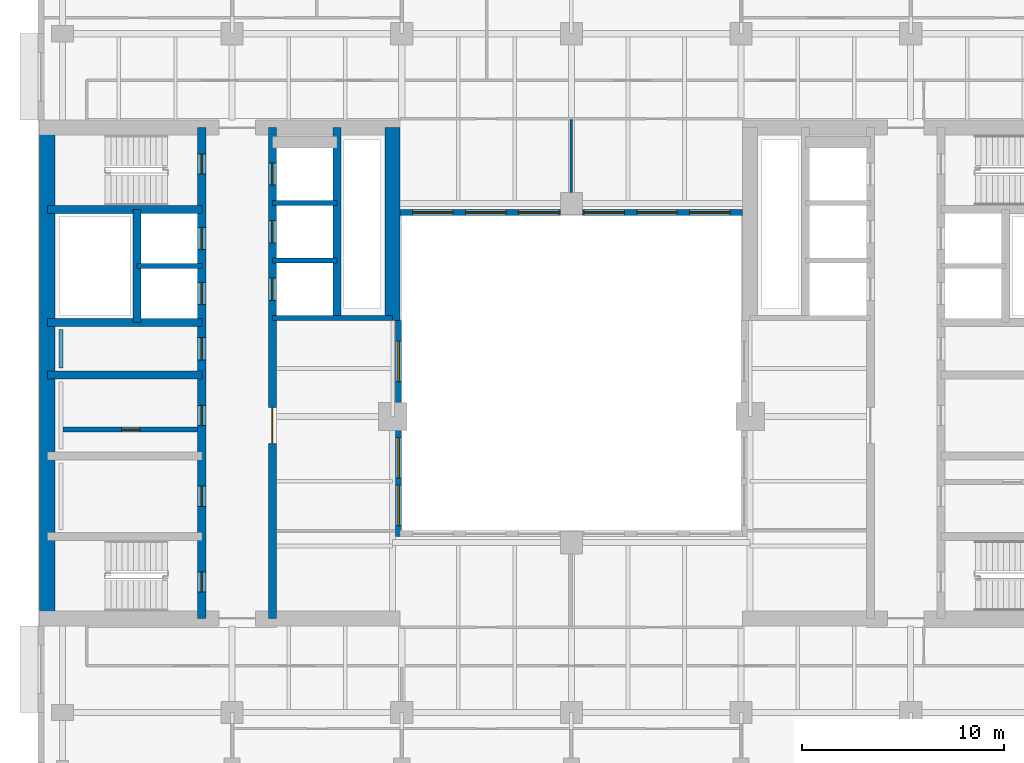
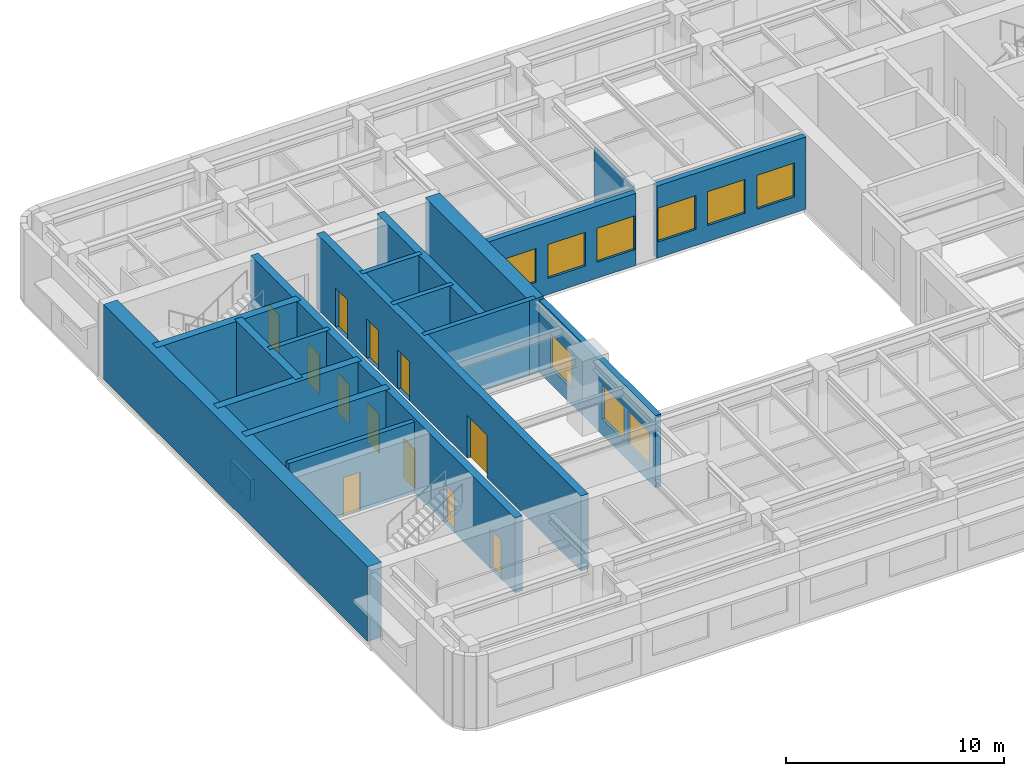
# One storey, part 4 of 11: 19 walls, 12 doors, 9 windows, 21 openings.
"""IFC4 building model written with IfcOpenShell, lengths in metres."""

from ifc_helpers import new_model, si_unit, direction, frame, frame_2d, origin, place, context, subcontext, project, spatial, rectangle, extrude, material, layer, layer_set, type_object, element, fill, save


model = new_model("IFC4")

# Units and contexts
model_context = context("Model", 3, precision=1e-05, world=origin(), true_north=direction((0.0, 1.0)))
body_context = subcontext(model_context, "Body", "Model", "MODEL_VIEW")
ifc_project = project(units=[si_unit("LENGTHUNIT", "METRE"), si_unit("AREAUNIT", "SQUARE_METRE"), si_unit("VOLUMEUNIT", "CUBIC_METRE"), si_unit("PLANEANGLEUNIT", "RADIAN"), si_unit("MASSUNIT", "GRAM", prefix="KILO")], contexts=[model_context])

# Site, building, storey
site_placement = place(None, origin())
site = spatial("IfcSite", under=ifc_project, at=site_placement, CompositionType="ELEMENT")
building_placement = place(site_placement, origin())
building = spatial("IfcBuilding", under=site, at=building_placement, Name="Claustro Exchange Tower", CompositionType="ELEMENT")
storey_placement = place(building_placement, frame((0.0, 0.0, 215.39990234375)))
storey = spatial("IfcBuildingStorey", under=building, at=storey_placement, Name="L49", CompositionType="ELEMENT", Elevation=215.39990234375)

# Wall
ifc_material_1 = material(Name="Laminated glass in aluminium frame", Category="aluminium")
ifc_layer_1 = layer(ifc_material_1, 0.1201171875)
ifc_layer_set_1 = layer_set([ifc_layer_1], Name="Laminated glass in aluminium frame")
wall_type_1 = type_object("IfcWallType", Name="P2 120 glazed partition", PredefinedType="PARTITIONING", material=ifc_layer_set_1)
wall_1_placement = place(storey_placement, frame((25.199951171875, 34.14892578125, 0.0), z_axis=(0.0, 0.0, 1.0), x_axis=(0.0, 1.0, 0.0)))
element("IfcWall", 1, at=wall_1_placement, inside=storey, type_object=wall_type_1, Name="Partition P2 L49", PredefinedType="PARTITIONING", context=body_context, shape_type="SweptSolid", body=[
    extrude(rectangle(XDim=3.593017578125, YDim=0.1201171875, at=frame_2d((1.79638671875, 0.0))), origin(), (0.0, 0.0, 1.0), 3.550048828125),
])

# Wall, opening, door
ifc_material_2 = material(Name="Concrete blockwork, rendered", Category="masonry")
ifc_layer_2 = layer(ifc_material_2, 0.25)
ifc_layer_set_2 = layer_set([ifc_layer_2], Name="Concrete blockwork, rendered")
wall_type_2 = type_object("IfcWallType", Name="P4 250 blockwork wall", PredefinedType="PARTITIONING", material=ifc_layer_set_2)
wall_2_placement = place(storey_placement, frame((0.02490234375, 22.39990234375, 0.0), z_axis=(0.0, 0.0, 1.0), x_axis=(1.0, 0.0, 0.0)))
wall_2 = element("IfcWall", 2, at=wall_2_placement, inside=storey, type_object=wall_type_2, Name="Partition P4 L49", PredefinedType="PARTITIONING", context=body_context, shape_type="SweptSolid", body=[
    extrude(rectangle(XDim=6.675048828125, YDim=0.25, at=frame_2d((3.33740234375, 0.0))), origin(), (0.0, 0.0, 1.0), 4.0),
])
opening_1_placement = place(wall_2_placement, frame((2.91259765625, 0.0, 0.0)))
opening_1 = element("IfcOpeningElement", 3, at=opening_1_placement, cuts=wall_2, Name="Opening D5", PredefinedType="OPENING", context=body_context, shape_type="SweptSolid", body=[
    extrude(rectangle(XDim=0.89990234375, YDim=2.199951171875, at=frame_2d((0.449951171875, 1.10009765625))), frame((0.0, 0.135009765625, 0.0), z_axis=(0.0, -1.0, 0.0), x_axis=(1.0, 0.0, 0.0)), (0.0, 0.0, 1.0), 0.27001953125),
])
ifc_material_3 = material(Name="Steel door, painted", Category="steel")
door_type_1 = type_object("IfcDoorType", Name="D5 900 x 2200 store door", OperationType="SINGLE_SWING_LEFT", PredefinedType="DOOR", material=ifc_material_3)
door_1_placement = place(opening_1_placement, frame((0.89990234375, 0.0, 0.0), z_axis=(0.0, 0.0, 1.0), x_axis=(-1.0, 0.0, 0.0)))
door_1 = element("IfcDoor", 4, at=door_1_placement, inside=storey, type_object=door_type_1, Name="Store door D5 L49", OperationType="SINGLE_SWING_LEFT", OverallHeight=2.199951171875, OverallWidth=0.89990234375, PredefinedType="DOOR", context=body_context, shape_type="SweptSolid", body=[
    extrude(rectangle(XDim=0.89990234375, YDim=2.199951171875, at=frame_2d((0.449951171875, 1.10009765625))), frame((0.0, 0.02490234375, 0.0), z_axis=(0.0, -1.0, 0.0), x_axis=(1.0, 0.0, 0.0)), (0.0, 0.0, 1.0), 0.050048828125),
])
fill(opening_1, door_1)

# Wall, openings, windows
ifc_material_4 = material(Name="Concrete HA-40 (C40/50), precast, white cement, acid-etched", Category="concrete")
ifc_layer_3 = layer(ifc_material_4, 0.300048828125)
ifc_layer_set_3 = layer_set([ifc_layer_3], Name="Concrete HA-40 (C40/50), precast, white cement, acid-etched")
wall_type_3 = type_object("IfcWallType", Name="PC1 300 precast concrete pier panel", PredefinedType="SOLIDWALL", material=ifc_layer_set_3)
wall_3_placement = place(storey_placement, frame((16.64990234375, 17.10009765625, 0.0), z_axis=(0.0, 0.0, 1.0), x_axis=(0.0, 1.0, 0.0)))
wall_3 = element("IfcWall", 5, at=wall_3_placement, inside=storey, type_object=wall_type_3, Name="Precast pier panel PC1 L49", PredefinedType="SOLIDWALL", context=body_context, shape_type="SweptSolid", body=[
    extrude(rectangle(XDim=10.699951171875, YDim=0.300048828125, at=frame_2d((5.35009765625, 0.0))), origin(), (0.0, 0.0, 1.0), 4.050048828125),
])
opening_2_placement = place(wall_3_placement, frame((0.550048828125, 0.0, 0.89990234375)))
opening_2 = element("IfcOpeningElement", 6, at=opening_2_placement, cuts=wall_3, Name="Opening W4", PredefinedType="OPENING", context=body_context, shape_type="SweptSolid", body=[
    extrude(rectangle(XDim=2.0, YDim=1.89990234375, at=frame_2d((1.0, 0.949951171875))), frame((0.0, 0.159912109375, 0.0), z_axis=(0.0, -1.0, 0.0), x_axis=(1.0, 0.0, 0.0)), (0.0, 0.0, 1.0), 0.320068359375),
])
opening_3_placement = place(wall_3_placement, frame((2.89990234375, 0.0, 0.89990234375)))
opening_3 = element("IfcOpeningElement", 7, at=opening_3_placement, cuts=wall_3, Name="Opening W4", PredefinedType="OPENING", context=body_context, shape_type="SweptSolid", body=[
    extrude(rectangle(XDim=2.0, YDim=1.89990234375, at=frame_2d((1.0, 0.949951171875))), frame((0.0, 0.159912109375, 0.0), z_axis=(0.0, -1.0, 0.0), x_axis=(1.0, 0.0, 0.0)), (0.0, 0.0, 1.0), 0.320068359375),
])
opening_4_placement = place(wall_3_placement, frame((7.675048828125, 0.0, 0.89990234375)))
opening_4 = element("IfcOpeningElement", 8, at=opening_4_placement, cuts=wall_3, Name="Opening W4", PredefinedType="OPENING", context=body_context, shape_type="SweptSolid", body=[
    extrude(rectangle(XDim=2.0, YDim=1.89990234375, at=frame_2d((1.0, 0.949951171875))), frame((0.0, 0.159912109375, 0.0), z_axis=(0.0, -1.0, 0.0), x_axis=(1.0, 0.0, 0.0)), (0.0, 0.0, 1.0), 0.320068359375),
])
ifc_material_5 = material(Name="Aluminium frame, clear double glazing", Category="aluminium")
window_type = type_object("IfcWindowType", Name="W4 2000 x 1900 light well window", PartitioningType="SINGLE_PANEL", PredefinedType="WINDOW", material=ifc_material_5)
window_1_placement = place(opening_2_placement, origin())
window_1 = element("IfcWindow", 9, at=window_1_placement, inside=storey, type_object=window_type, Name="Window W4 L49", OverallHeight=1.89990234375, OverallWidth=2.0, PartitioningType="SINGLE_PANEL", PredefinedType="WINDOW", context=body_context, shape_type="SweptSolid", body=[
    extrude(rectangle(XDim=2.0, YDim=1.89990234375, at=frame_2d((1.0, 0.949951171875))), frame((0.0, 0.030029296875, 0.0), z_axis=(0.0, -1.0, 0.0), x_axis=(1.0, 0.0, 0.0)), (0.0, 0.0, 1.0), 0.06005859375),
])
fill(opening_2, window_1)
window_2_placement = place(opening_3_placement, origin())
window_2 = element("IfcWindow", 10, at=window_2_placement, inside=storey, type_object=window_type, Name="Window W4 L49", OverallHeight=1.89990234375, OverallWidth=2.0, PartitioningType="SINGLE_PANEL", PredefinedType="WINDOW", context=body_context, shape_type="SweptSolid", body=[
    extrude(rectangle(XDim=2.0, YDim=1.89990234375, at=frame_2d((1.0, 0.949951171875))), frame((0.0, 0.030029296875, 0.0), z_axis=(0.0, -1.0, 0.0), x_axis=(1.0, 0.0, 0.0)), (0.0, 0.0, 1.0), 0.06005859375),
])
fill(opening_3, window_2)
window_3_placement = place(opening_4_placement, origin())
window_3 = element("IfcWindow", 11, at=window_3_placement, inside=storey, type_object=window_type, Name="Window W4 L49", OverallHeight=1.89990234375, OverallWidth=2.0, PartitioningType="SINGLE_PANEL", PredefinedType="WINDOW", context=body_context, shape_type="SweptSolid", body=[
    extrude(rectangle(XDim=2.0, YDim=1.89990234375, at=frame_2d((1.0, 0.949951171875))), frame((0.0, 0.030029296875, 0.0), z_axis=(0.0, -1.0, 0.0), x_axis=(1.0, 0.0, 0.0)), (0.0, 0.0, 1.0), 0.06005859375),
])
fill(opening_4, window_3)

wall_4_placement = place(storey_placement, frame((16.72509765625, 33.14990234375, 0.0), z_axis=(0.0, 0.0, 1.0), x_axis=(1.0, 0.0, 0.0)))
wall_4 = element("IfcWall", 12, at=wall_4_placement, inside=storey, type_object=wall_type_3, Name="Precast pier panel PC1 L49", PredefinedType="SOLIDWALL", context=body_context, shape_type="SweptSolid", body=[
    extrude(rectangle(XDim=7.9248046875, YDim=0.300048828125, at=frame_2d((3.96240234375, 0.0))), origin(), (0.0, 0.0, 1.0), 4.050048828125),
])
opening_5_placement = place(wall_4_placement, frame((0.61865234375, 0.0, 0.89990234375)))
opening_5 = element("IfcOpeningElement", 13, at=opening_5_placement, cuts=wall_4, Name="Opening W4", PredefinedType="OPENING", context=body_context, shape_type="SweptSolid", body=[
    extrude(rectangle(XDim=2.0, YDim=1.89990234375, at=frame_2d((1.0, 0.949951171875))), frame((0.0, 0.159912109375, 0.0), z_axis=(0.0, -1.0, 0.0), x_axis=(1.0, 0.0, 0.0)), (0.0, 0.0, 1.0), 0.320068359375),
])
opening_6_placement = place(wall_4_placement, frame((3.237548828125, 0.0, 0.89990234375)))
opening_6 = element("IfcOpeningElement", 14, at=opening_6_placement, cuts=wall_4, Name="Opening W4", PredefinedType="OPENING", context=body_context, shape_type="SweptSolid", body=[
    extrude(rectangle(XDim=2.0, YDim=1.89990234375, at=frame_2d((1.0, 0.949951171875))), frame((0.0, 0.159912109375, 0.0), z_axis=(0.0, -1.0, 0.0), x_axis=(1.0, 0.0, 0.0)), (0.0, 0.0, 1.0), 0.320068359375),
])
opening_7_placement = place(wall_4_placement, frame((5.856201171875, 0.0, 0.89990234375)))
opening_7 = element("IfcOpeningElement", 15, at=opening_7_placement, cuts=wall_4, Name="Opening W4", PredefinedType="OPENING", context=body_context, shape_type="SweptSolid", body=[
    extrude(rectangle(XDim=2.0, YDim=1.89990234375, at=frame_2d((1.0, 0.949951171875))), frame((0.0, 0.159912109375, 0.0), z_axis=(0.0, -1.0, 0.0), x_axis=(1.0, 0.0, 0.0)), (0.0, 0.0, 1.0), 0.320068359375),
])
window_4_placement = place(opening_5_placement, origin())
window_4 = element("IfcWindow", 16, at=window_4_placement, inside=storey, type_object=window_type, Name="Window W4 L49", OverallHeight=1.89990234375, OverallWidth=2.0, PartitioningType="SINGLE_PANEL", PredefinedType="WINDOW", context=body_context, shape_type="SweptSolid", body=[
    extrude(rectangle(XDim=2.0, YDim=1.89990234375, at=frame_2d((1.0, 0.949951171875))), frame((0.0, 0.030029296875, 0.0), z_axis=(0.0, -1.0, 0.0), x_axis=(1.0, 0.0, 0.0)), (0.0, 0.0, 1.0), 0.06005859375),
])
fill(opening_5, window_4)
window_5_placement = place(opening_6_placement, origin())
window_5 = element("IfcWindow", 17, at=window_5_placement, inside=storey, type_object=window_type, Name="Window W4 L49", OverallHeight=1.89990234375, OverallWidth=2.0, PartitioningType="SINGLE_PANEL", PredefinedType="WINDOW", context=body_context, shape_type="SweptSolid", body=[
    extrude(rectangle(XDim=2.0, YDim=1.89990234375, at=frame_2d((1.0, 0.949951171875))), frame((0.0, 0.030029296875, 0.0), z_axis=(0.0, -1.0, 0.0), x_axis=(1.0, 0.0, 0.0)), (0.0, 0.0, 1.0), 0.06005859375),
])
fill(opening_6, window_5)
window_6_placement = place(opening_7_placement, origin())
window_6 = element("IfcWindow", 18, at=window_6_placement, inside=storey, type_object=window_type, Name="Window W4 L49", OverallHeight=1.89990234375, OverallWidth=2.0, PartitioningType="SINGLE_PANEL", PredefinedType="WINDOW", context=body_context, shape_type="SweptSolid", body=[
    extrude(rectangle(XDim=2.0, YDim=1.89990234375, at=frame_2d((1.0, 0.949951171875))), frame((0.0, 0.030029296875, 0.0), z_axis=(0.0, -1.0, 0.0), x_axis=(1.0, 0.0, 0.0)), (0.0, 0.0, 1.0), 0.06005859375),
])
fill(opening_7, window_6)

wall_5_placement = place(storey_placement, frame((25.75, 33.14990234375, 0.0), z_axis=(0.0, 0.0, 1.0), x_axis=(1.0, 0.0, 0.0)))
wall_5 = element("IfcWall", 19, at=wall_5_placement, inside=storey, type_object=wall_type_3, Name="Precast pier panel PC1 L49", PredefinedType="SOLIDWALL", context=body_context, shape_type="SweptSolid", body=[
    extrude(rectangle(XDim=7.925048828125, YDim=0.300048828125, at=frame_2d((3.96240234375, 0.0))), origin(), (0.0, 0.0, 1.0), 4.050048828125),
])
opening_8_placement = place(wall_5_placement, frame((0.068603515625, 0.0, 0.89990234375)))
opening_8 = element("IfcOpeningElement", 20, at=opening_8_placement, cuts=wall_5, Name="Opening W4", PredefinedType="OPENING", context=body_context, shape_type="SweptSolid", body=[
    extrude(rectangle(XDim=2.0, YDim=1.89990234375, at=frame_2d((1.0, 0.949951171875))), frame((0.0, 0.159912109375, 0.0), z_axis=(0.0, -1.0, 0.0), x_axis=(1.0, 0.0, 0.0)), (0.0, 0.0, 1.0), 0.320068359375),
])
opening_9_placement = place(wall_5_placement, frame((2.6875, 0.0, 0.89990234375)))
opening_9 = element("IfcOpeningElement", 21, at=opening_9_placement, cuts=wall_5, Name="Opening W4", PredefinedType="OPENING", context=body_context, shape_type="SweptSolid", body=[
    extrude(rectangle(XDim=2.0, YDim=1.89990234375, at=frame_2d((1.0, 0.949951171875))), frame((0.0, 0.159912109375, 0.0), z_axis=(0.0, -1.0, 0.0), x_axis=(1.0, 0.0, 0.0)), (0.0, 0.0, 1.0), 0.320068359375),
])
opening_10_placement = place(wall_5_placement, frame((5.30615234375, 0.0, 0.89990234375)))
opening_10 = element("IfcOpeningElement", 22, at=opening_10_placement, cuts=wall_5, Name="Opening W4", PredefinedType="OPENING", context=body_context, shape_type="SweptSolid", body=[
    extrude(rectangle(XDim=2.0, YDim=1.89990234375, at=frame_2d((1.0, 0.949951171875))), frame((0.0, 0.159912109375, 0.0), z_axis=(0.0, -1.0, 0.0), x_axis=(1.0, 0.0, 0.0)), (0.0, 0.0, 1.0), 0.320068359375),
])
window_7_placement = place(opening_8_placement, origin())
window_7 = element("IfcWindow", 23, at=window_7_placement, inside=storey, type_object=window_type, Name="Window W4 L49", OverallHeight=1.89990234375, OverallWidth=2.0, PartitioningType="SINGLE_PANEL", PredefinedType="WINDOW", context=body_context, shape_type="SweptSolid", body=[
    extrude(rectangle(XDim=2.0, YDim=1.89990234375, at=frame_2d((1.0, 0.949951171875))), frame((0.0, 0.030029296875, 0.0), z_axis=(0.0, -1.0, 0.0), x_axis=(1.0, 0.0, 0.0)), (0.0, 0.0, 1.0), 0.06005859375),
])
fill(opening_8, window_7)
window_8_placement = place(opening_9_placement, origin())
window_8 = element("IfcWindow", 24, at=window_8_placement, inside=storey, type_object=window_type, Name="Window W4 L49", OverallHeight=1.89990234375, OverallWidth=2.0, PartitioningType="SINGLE_PANEL", PredefinedType="WINDOW", context=body_context, shape_type="SweptSolid", body=[
    extrude(rectangle(XDim=2.0, YDim=1.89990234375, at=frame_2d((1.0, 0.949951171875))), frame((0.0, 0.030029296875, 0.0), z_axis=(0.0, -1.0, 0.0), x_axis=(1.0, 0.0, 0.0)), (0.0, 0.0, 1.0), 0.06005859375),
])
fill(opening_9, window_8)
window_9_placement = place(opening_10_placement, origin())
window_9 = element("IfcWindow", 25, at=window_9_placement, inside=storey, type_object=window_type, Name="Window W4 L49", OverallHeight=1.89990234375, OverallWidth=2.0, PartitioningType="SINGLE_PANEL", PredefinedType="WINDOW", context=body_context, shape_type="SweptSolid", body=[
    extrude(rectangle(XDim=2.0, YDim=1.89990234375, at=frame_2d((1.0, 0.949951171875))), frame((0.0, 0.030029296875, 0.0), z_axis=(0.0, -1.0, 0.0), x_axis=(1.0, 0.0, 0.0)), (0.0, 0.0, 1.0), 0.06005859375),
])
fill(opening_10, window_9)

# Walls
ifc_material_6 = material(Name="Gypsum board on steel studs, tiled", Category="steel")
ifc_layer_4 = layer(ifc_material_6, 0.199951171875)
ifc_layer_set_4 = layer_set([ifc_layer_4], Name="Gypsum board on steel studs, tiled")
wall_type_4 = type_object("IfcWallType", Name="PW1 200 WC duct wall", PredefinedType="PLUMBINGWALL", material=ifc_layer_set_4)
wall_6_placement = place(storey_placement, frame((-0.074951171875, 25.449951171875, 0.0), z_axis=(0.0, 0.0, 1.0), x_axis=(0.0, 1.0, 0.0)))
element("IfcWall", 26, at=wall_6_placement, inside=storey, type_object=wall_type_4, Name="WC duct wall PW1 L49", PredefinedType="PLUMBINGWALL", context=body_context, shape_type="SweptSolid", body=[
    extrude(rectangle(XDim=1.900146484375, YDim=0.199951171875, at=frame_2d((0.9501953125, 0.0))), origin(), (0.0, 0.0, 1.0), 1.2001953125),
])
ifc_material_7 = material(Name="Concrete HA-70 (C70/85)", Category="concrete")
ifc_layer_5 = layer(ifc_material_7, 0.75)
ifc_layer_set_5 = layer_set([ifc_layer_5], Name="Concrete HA-70 (C70/85)")
wall_type_5 = type_object("IfcWallType", Name="SW2X 750 exposed core shear wall, board-marked face", PredefinedType="SHEAR", material=ifc_layer_set_5)
wall_7_placement = place(storey_placement, frame((-0.75, 13.050048828125, 0.0), z_axis=(0.0, 0.0, 1.0), x_axis=(0.0, 1.0, 0.0)))
element("IfcWall", 27, at=wall_7_placement, inside=storey, type_object=wall_type_5, Name="Core wall SW2X W core W face L49", PredefinedType="SHEAR", context=body_context, shape_type="SweptSolid", body=[
    extrude(rectangle(XDim=24.300048828125, YDim=0.75, at=frame_2d((12.14990234375, 0.0))), origin(), (0.0, 0.0, 1.0), 4.2001953125),
])
wall_8_placement = place(storey_placement, frame((16.35009765625, 27.800048828125, 0.0), z_axis=(0.0, 0.0, 1.0), x_axis=(0.0, 1.0, 0.0)))
element("IfcWall", 28, at=wall_8_placement, inside=storey, type_object=wall_type_5, Name="Core wall SW2X W core E face L49", PredefinedType="SHEAR", context=body_context, shape_type="SweptSolid", body=[
    extrude(rectangle(XDim=9.550048828125, YDim=0.75, at=frame_2d((4.77490234375, 0.0))), origin(), (0.0, 0.0, 1.0), 4.2001953125),
])

# Wall, openings, doors
ifc_material_8 = material(Name="Concrete HA-50 (C50/60)", Category="concrete")
ifc_layer_6 = layer(ifc_material_8, 0.39990234375)
ifc_layer_set_6 = layer_set([ifc_layer_6], Name="Concrete HA-50 (C50/60)")
wall_type_6 = type_object("IfcWallType", Name="SW4 400 internal core wall", PredefinedType="SHEAR", material=ifc_layer_set_6)
wall_9_placement = place(storey_placement, frame((6.89990234375, 13.050048828125, 0.0), z_axis=(0.0, 0.0, 1.0), x_axis=(0.0, 1.0, 0.0)))
wall_9 = element("IfcWall", 29, at=wall_9_placement, inside=storey, type_object=wall_type_6, Name="Internal core wall SW4 W core L49", PredefinedType="SHEAR", context=body_context, shape_type="SweptSolid", body=[
    extrude(rectangle(XDim=24.300048828125, YDim=0.39990234375, at=frame_2d((12.14990234375, 0.0))), origin(), (0.0, 0.0, 1.0), 4.2001953125),
])
opening_11_placement = place(wall_9_placement, frame((1.300048828125, 0.0, 0.0)))
opening_11 = element("IfcOpeningElement", 30, at=opening_11_placement, cuts=wall_9, Name="Opening D4", PredefinedType="OPENING", context=body_context, shape_type="SweptSolid", body=[
    extrude(rectangle(XDim=1.0, YDim=2.199951171875, at=frame_2d((0.5, 1.10009765625))), frame((0.0, 0.2099609375, 0.0), z_axis=(0.0, -1.0, 0.0), x_axis=(1.0, 0.0, 0.0)), (0.0, 0.0, 1.0), 0.419921875),
])
opening_12_placement = place(wall_9_placement, frame((22.0, 0.0, 0.0)))
opening_12 = element("IfcOpeningElement", 31, at=opening_12_placement, cuts=wall_9, Name="Opening D4", PredefinedType="OPENING", context=body_context, shape_type="SweptSolid", body=[
    extrude(rectangle(XDim=1.0, YDim=2.199951171875, at=frame_2d((0.5, 1.10009765625))), frame((0.0, 0.2099609375, 0.0), z_axis=(0.0, -1.0, 0.0), x_axis=(1.0, 0.0, 0.0)), (0.0, 0.0, 1.0), 0.419921875),
])
opening_13_placement = place(wall_9_placement, frame((5.550048828125, 0.0, 0.0)))
opening_13 = element("IfcOpeningElement", 32, at=opening_13_placement, cuts=wall_9, Name="Opening D1", PredefinedType="OPENING", context=body_context, shape_type="SweptSolid", body=[
    extrude(rectangle(XDim=1.0, YDim=2.199951171875, at=frame_2d((0.5, 1.10009765625))), frame((0.0, 0.2099609375, 0.0), z_axis=(0.0, -1.0, 0.0), x_axis=(1.0, 0.0, 0.0)), (0.0, 0.0, 1.0), 0.419921875),
])
opening_14_placement = place(wall_9_placement, frame((9.550048828125, 0.0, 0.0)))
opening_14 = element("IfcOpeningElement", 33, at=opening_14_placement, cuts=wall_9, Name="Opening D1", PredefinedType="OPENING", context=body_context, shape_type="SweptSolid", body=[
    extrude(rectangle(XDim=1.0, YDim=2.199951171875, at=frame_2d((0.5, 1.10009765625))), frame((0.0, 0.2099609375, 0.0), z_axis=(0.0, -1.0, 0.0), x_axis=(1.0, 0.0, 0.0)), (0.0, 0.0, 1.0), 0.419921875),
])
opening_15_placement = place(wall_9_placement, frame((12.800048828125, 0.0, 0.0)))
opening_15 = element("IfcOpeningElement", 34, at=opening_15_placement, cuts=wall_9, Name="Opening D10", PredefinedType="OPENING", context=body_context, shape_type="SweptSolid", body=[
    extrude(rectangle(XDim=1.10009765625, YDim=2.199951171875, at=frame_2d((0.550048828125, 1.10009765625))), frame((0.0, 0.2099609375, 0.0), z_axis=(0.0, -1.0, 0.0), x_axis=(1.0, 0.0, 0.0)), (0.0, 0.0, 1.0), 0.419921875),
])
opening_16_placement = place(wall_9_placement, frame((15.53759765625, 0.0, 0.0)))
opening_16 = element("IfcOpeningElement", 35, at=opening_16_placement, cuts=wall_9, Name="Opening LD", PredefinedType="OPENING", context=body_context, shape_type="SweptSolid", body=[
    extrude(rectangle(XDim=1.10009765625, YDim=2.199951171875, at=frame_2d((0.550048828125, 1.10009765625))), frame((0.0, 0.2099609375, 0.0), z_axis=(0.0, -1.0, 0.0), x_axis=(1.0, 0.0, 0.0)), (0.0, 0.0, 1.0), 0.419921875),
])
opening_17_placement = place(wall_9_placement, frame((18.262451171875, 0.0, 0.0)))
opening_17 = element("IfcOpeningElement", 36, at=opening_17_placement, cuts=wall_9, Name="Opening LD", PredefinedType="OPENING", context=body_context, shape_type="SweptSolid", body=[
    extrude(rectangle(XDim=1.10009765625, YDim=2.199951171875, at=frame_2d((0.550048828125, 1.10009765625))), frame((0.0, 0.2099609375, 0.0), z_axis=(0.0, -1.0, 0.0), x_axis=(1.0, 0.0, 0.0)), (0.0, 0.0, 1.0), 0.419921875),
])
ifc_material_9 = material(Name="Timber door, oak veneer", Category="wood")
door_type_2 = type_object("IfcDoorType", Name="D1 1000 x 2200 single door", OperationType="SINGLE_SWING_LEFT", PredefinedType="DOOR", material=ifc_material_9)
door_2_placement = place(opening_13_placement, origin())
door_2 = element("IfcDoor", 37, at=door_2_placement, inside=storey, type_object=door_type_2, Name="Door D1 L49", OperationType="SINGLE_SWING_RIGHT", OverallHeight=2.199951171875, OverallWidth=1.0, PredefinedType="DOOR", context=body_context, shape_type="SweptSolid", body=[
    extrude(rectangle(XDim=1.0, YDim=2.199951171875, at=frame_2d((0.5, 1.10009765625))), frame((0.0, 0.02490234375, 0.0), z_axis=(0.0, -1.0, 0.0), x_axis=(1.0, 0.0, 0.0)), (0.0, 0.0, 1.0), 0.050048828125),
])
fill(opening_13, door_2)
door_3_placement = place(opening_14_placement, origin())
door_3 = element("IfcDoor", 38, at=door_3_placement, inside=storey, type_object=door_type_2, Name="Door D1 L49", OperationType="SINGLE_SWING_LEFT", OverallHeight=2.199951171875, OverallWidth=1.0, PredefinedType="DOOR", context=body_context, shape_type="SweptSolid", body=[
    extrude(rectangle(XDim=1.0, YDim=2.199951171875, at=frame_2d((0.5, 1.10009765625))), frame((0.0, 0.02490234375, 0.0), z_axis=(0.0, -1.0, 0.0), x_axis=(1.0, 0.0, 0.0)), (0.0, 0.0, 1.0), 0.050048828125),
])
fill(opening_14, door_3)
ifc_material_10 = material(Name="Timber door, oak veneer", Category="wood")
door_type_3 = type_object("IfcDoorType", Name="D10 1100 x 2200 accessible WC door", OperationType="SINGLE_SWING_LEFT", PredefinedType="DOOR", material=ifc_material_10)
door_4_placement = place(opening_15_placement, frame((1.10009765625, 0.0, 0.0), z_axis=(0.0, 0.0, 1.0), x_axis=(-1.0, 0.0, 0.0)))
door_4 = element("IfcDoor", 39, at=door_4_placement, inside=storey, type_object=door_type_3, Name="Accessible WC door D10 L49", OperationType="SINGLE_SWING_LEFT", OverallHeight=2.199951171875, OverallWidth=1.10009765625, PredefinedType="DOOR", context=body_context, shape_type="SweptSolid", body=[
    extrude(rectangle(XDim=1.10009765625, YDim=2.199951171875, at=frame_2d((0.550048828125, 1.10009765625))), frame((0.0, 0.02490234375, 0.0), z_axis=(0.0, -1.0, 0.0), x_axis=(1.0, 0.0, 0.0)), (0.0, 0.0, 1.0), 0.050048828125),
])
fill(opening_15, door_4)
ifc_material_11 = material(Name="Steel fire door, painted", Category="steel")
door_type_4 = type_object("IfcDoorType", Name="D4 1000 x 2200 fire-rated stair door", OperationType="SINGLE_SWING_LEFT", PredefinedType="DOOR", material=ifc_material_11)
door_5_placement = place(opening_11_placement, origin())
door_5 = element("IfcDoor", 40, at=door_5_placement, inside=storey, type_object=door_type_4, Name="Stair door D4 L49", OperationType="SINGLE_SWING_LEFT", OverallHeight=2.199951171875, OverallWidth=1.0, PredefinedType="DOOR", context=body_context, shape_type="SweptSolid", body=[
    extrude(rectangle(XDim=1.0, YDim=2.199951171875, at=frame_2d((0.5, 1.10009765625))), frame((0.0, 0.02490234375, 0.0), z_axis=(0.0, -1.0, 0.0), x_axis=(1.0, 0.0, 0.0)), (0.0, 0.0, 1.0), 0.050048828125),
])
fill(opening_11, door_5)
door_6_placement = place(opening_12_placement, origin())
door_6 = element("IfcDoor", 41, at=door_6_placement, inside=storey, type_object=door_type_4, Name="Stair door D4 L49", OperationType="SINGLE_SWING_RIGHT", OverallHeight=2.199951171875, OverallWidth=1.0, PredefinedType="DOOR", context=body_context, shape_type="SweptSolid", body=[
    extrude(rectangle(XDim=1.0, YDim=2.199951171875, at=frame_2d((0.5, 1.10009765625))), frame((0.0, 0.02490234375, 0.0), z_axis=(0.0, -1.0, 0.0), x_axis=(1.0, 0.0, 0.0)), (0.0, 0.0, 1.0), 0.050048828125),
])
fill(opening_12, door_6)
ifc_material_12 = material(Name="Stainless steel sliding door", Category="steel")
door_type_5 = type_object("IfcDoorType", Name="LD 1100 x 2200 lift landing door", OperationType="DOUBLE_DOOR_SLIDING", PredefinedType="DOOR", material=ifc_material_12)
door_7_placement = place(opening_16_placement, origin())
door_7 = element("IfcDoor", 42, at=door_7_placement, inside=storey, type_object=door_type_5, Name="Lift landing door LEW1 LD L49", OperationType="DOUBLE_DOOR_SLIDING", OverallHeight=2.199951171875, OverallWidth=1.10009765625, PredefinedType="DOOR", context=body_context, shape_type="SweptSolid", body=[
    extrude(rectangle(XDim=1.10009765625, YDim=2.199951171875, at=frame_2d((0.550048828125, 1.10009765625))), frame((0.0, 0.02490234375, 0.0), z_axis=(0.0, -1.0, 0.0), x_axis=(1.0, 0.0, 0.0)), (0.0, 0.0, 1.0), 0.050048828125),
])
fill(opening_16, door_7)
door_8_placement = place(opening_17_placement, origin())
door_8 = element("IfcDoor", 43, at=door_8_placement, inside=storey, type_object=door_type_5, Name="Lift landing door LEW2 LD L49", OperationType="DOUBLE_DOOR_SLIDING", OverallHeight=2.199951171875, OverallWidth=1.10009765625, PredefinedType="DOOR", context=body_context, shape_type="SweptSolid", body=[
    extrude(rectangle(XDim=1.10009765625, YDim=2.199951171875, at=frame_2d((0.550048828125, 1.10009765625))), frame((0.0, 0.02490234375, 0.0), z_axis=(0.0, -1.0, 0.0), x_axis=(1.0, 0.0, 0.0)), (0.0, 0.0, 1.0), 0.050048828125),
])
fill(opening_17, door_8)

wall_10_placement = place(storey_placement, frame((10.39990234375, 13.050048828125, 0.0), z_axis=(0.0, 0.0, 1.0), x_axis=(0.0, 1.0, 0.0)))
wall_10 = element("IfcWall", 44, at=wall_10_placement, inside=storey, type_object=wall_type_6, Name="Internal core wall SW4 W core L49", PredefinedType="SHEAR", context=body_context, shape_type="SweptSolid", body=[
    extrude(rectangle(XDim=24.300048828125, YDim=0.39990234375, at=frame_2d((12.14990234375, 0.0))), origin(), (0.0, 0.0, 1.0), 4.2001953125),
])
opening_18_placement = place(wall_10_placement, frame((15.75, 0.0, 0.0)))
opening_18 = element("IfcOpeningElement", 45, at=opening_18_placement, cuts=wall_10, Name="Opening LD", PredefinedType="OPENING", context=body_context, shape_type="SweptSolid", body=[
    extrude(rectangle(XDim=1.10009765625, YDim=2.199951171875, at=frame_2d((0.550048828125, 1.10009765625))), frame((0.0, 0.2099609375, 0.0), z_axis=(0.0, -1.0, 0.0), x_axis=(1.0, 0.0, 0.0)), (0.0, 0.0, 1.0), 0.419921875),
])
opening_19_placement = place(wall_10_placement, frame((18.60009765625, 0.0, 0.0)))
opening_19 = element("IfcOpeningElement", 46, at=opening_19_placement, cuts=wall_10, Name="Opening LD", PredefinedType="OPENING", context=body_context, shape_type="SweptSolid", body=[
    extrude(rectangle(XDim=1.10009765625, YDim=2.199951171875, at=frame_2d((0.550048828125, 1.10009765625))), frame((0.0, 0.2099609375, 0.0), z_axis=(0.0, -1.0, 0.0), x_axis=(1.0, 0.0, 0.0)), (0.0, 0.0, 1.0), 0.419921875),
])
opening_20_placement = place(wall_10_placement, frame((21.449951171875, 0.0, 0.0)))
opening_20 = element("IfcOpeningElement", 47, at=opening_20_placement, cuts=wall_10, Name="Opening LD", PredefinedType="OPENING", context=body_context, shape_type="SweptSolid", body=[
    extrude(rectangle(XDim=1.10009765625, YDim=2.199951171875, at=frame_2d((0.550048828125, 1.10009765625))), frame((0.0, 0.2099609375, 0.0), z_axis=(0.0, -1.0, 0.0), x_axis=(1.0, 0.0, 0.0)), (0.0, 0.0, 1.0), 0.419921875),
])
opening_21_placement = place(wall_10_placement, frame((8.64990234375, 0.0, 0.0)))
opening_21 = element("IfcOpeningElement", 48, at=opening_21_placement, cuts=wall_10, Name="Opening D3", PredefinedType="OPENING", context=body_context, shape_type="SweptSolid", body=[
    extrude(rectangle(XDim=1.800048828125, YDim=2.39990234375, at=frame_2d((0.89990234375, 1.199951171875))), frame((0.0, 0.2099609375, 0.0), z_axis=(0.0, -1.0, 0.0), x_axis=(1.0, 0.0, 0.0)), (0.0, 0.0, 1.0), 0.419921875),
])
ifc_material_13 = material(Name="Steel fire door, painted", Category="steel")
door_type_6 = type_object("IfcDoorType", Name="D3 1800 x 2400 fire-rated lobby double door", OperationType="DOUBLE_DOOR_SINGLE_SWING", PredefinedType="DOOR", material=ifc_material_13)
door_9_placement = place(opening_21_placement, frame((1.800048828125, 0.0, 0.0), z_axis=(0.0, 0.0, 1.0), x_axis=(-1.0, 0.0, 0.0)))
door_9 = element("IfcDoor", 49, at=door_9_placement, inside=storey, type_object=door_type_6, Name="Core zone door D3 L49", OperationType="DOUBLE_DOOR_SINGLE_SWING", OverallHeight=2.39990234375, OverallWidth=1.800048828125, PredefinedType="DOOR", context=body_context, shape_type="SweptSolid", body=[
    extrude(rectangle(XDim=1.800048828125, YDim=2.39990234375, at=frame_2d((0.89990234375, 1.199951171875))), frame((0.0, 0.02490234375, 0.0), z_axis=(0.0, -1.0, 0.0), x_axis=(1.0, 0.0, 0.0)), (0.0, 0.0, 1.0), 0.050048828125),
])
fill(opening_21, door_9)
door_10_placement = place(opening_18_placement, origin())
door_10 = element("IfcDoor", 50, at=door_10_placement, inside=storey, type_object=door_type_5, Name="Lift landing door LHW1 LD L49", OperationType="DOUBLE_DOOR_SLIDING", OverallHeight=2.199951171875, OverallWidth=1.10009765625, PredefinedType="DOOR", context=body_context, shape_type="SweptSolid", body=[
    extrude(rectangle(XDim=1.10009765625, YDim=2.199951171875, at=frame_2d((0.550048828125, 1.10009765625))), frame((0.0, 0.02490234375, 0.0), z_axis=(0.0, -1.0, 0.0), x_axis=(1.0, 0.0, 0.0)), (0.0, 0.0, 1.0), 0.050048828125),
])
fill(opening_18, door_10)
door_11_placement = place(opening_19_placement, origin())
door_11 = element("IfcDoor", 51, at=door_11_placement, inside=storey, type_object=door_type_5, Name="Lift landing door LHW2 LD L49", OperationType="DOUBLE_DOOR_SLIDING", OverallHeight=2.199951171875, OverallWidth=1.10009765625, PredefinedType="DOOR", context=body_context, shape_type="SweptSolid", body=[
    extrude(rectangle(XDim=1.10009765625, YDim=2.199951171875, at=frame_2d((0.550048828125, 1.10009765625))), frame((0.0, 0.02490234375, 0.0), z_axis=(0.0, -1.0, 0.0), x_axis=(1.0, 0.0, 0.0)), (0.0, 0.0, 1.0), 0.050048828125),
])
fill(opening_19, door_11)
door_12_placement = place(opening_20_placement, origin())
door_12 = element("IfcDoor", 52, at=door_12_placement, inside=storey, type_object=door_type_5, Name="Lift landing door LSW1 LD L49", OperationType="DOUBLE_DOOR_SLIDING", OverallHeight=2.199951171875, OverallWidth=1.10009765625, PredefinedType="DOOR", context=body_context, shape_type="SweptSolid", body=[
    extrude(rectangle(XDim=1.10009765625, YDim=2.199951171875, at=frame_2d((0.550048828125, 1.10009765625))), frame((0.0, 0.02490234375, 0.0), z_axis=(0.0, -1.0, 0.0), x_axis=(1.0, 0.0, 0.0)), (0.0, 0.0, 1.0), 0.050048828125),
])
fill(opening_20, door_12)

# Walls
wall_11_placement = place(storey_placement, frame((13.60009765625, 27.925048828125, 0.0), z_axis=(0.0, 0.0, 1.0), x_axis=(0.0, 1.0, 0.0)))
element("IfcWall", 53, at=wall_11_placement, inside=storey, type_object=wall_type_6, Name="Internal core wall SW4 W core L49", PredefinedType="SHEAR", context=body_context, shape_type="SweptSolid", body=[
    extrude(rectangle(XDim=9.425048828125, YDim=0.39990234375, at=frame_2d((4.71240234375, 0.0))), origin(), (0.0, 0.0, 1.0), 4.2001953125),
])
for number, where, z_axis, x_axis, name in (
    (54, (-0.75, 25.10009765625, 0.0), (0.0, 0.0, 1.0), (1.0, 0.0, 0.0), "Internal core wall SW4 W core L49"),
    (55, (-0.75, 27.699951171875, 0.0), (0.0, 0.0, 1.0), (1.0, 0.0, 0.0), "Internal core wall SW4 W core L49"),
    (56, (-0.75, 33.300048828125, 0.0), (0.0, 0.0, 1.0), (1.0, 0.0, 0.0), "Internal core wall SW4 W core L49"),
):
    element("IfcWall", number, at=place(storey_placement, frame(where, z_axis=z_axis, x_axis=x_axis)), inside=storey, type_object=wall_type_6, Name=name, PredefinedType="SHEAR", context=body_context, shape_type="SweptSolid", body=[
        extrude(rectangle(XDim=7.64990234375, YDim=0.39990234375, at=frame_2d((3.824951171875, 0.0))), origin(), (0.0, 0.0, 1.0), 4.2001953125),
    ])
wall_12_placement = place(storey_placement, frame((3.699951171875, 27.699951171875, 0.0), z_axis=(0.0, 0.0, 1.0), x_axis=(0.0, 1.0, 0.0)))
element("IfcWall", 57, at=wall_12_placement, inside=storey, type_object=wall_type_6, Name="Internal core wall SW4 W core L49", PredefinedType="SHEAR", context=body_context, shape_type="SweptSolid", body=[
    extrude(rectangle(XDim=5.60009765625, YDim=0.39990234375, at=frame_2d((2.800048828125, 0.0))), origin(), (0.0, 0.0, 1.0), 4.2001953125),
])
ifc_material_14 = material(Name="Concrete HA-50 (C50/60)", Category="concrete")
ifc_layer_7 = layer(ifc_material_14, 0.25)
ifc_layer_set_7 = layer_set([ifc_layer_7], Name="Concrete HA-50 (C50/60)")
wall_type_7 = type_object("IfcWallType", Name="SW5 250 lift shaft divider wall", PredefinedType="SHEAR", material=ifc_layer_set_7)
wall_13_placement = place(storey_placement, frame((3.699951171875, 30.5, 0.0), z_axis=(0.0, 0.0, 1.0), x_axis=(1.0, 0.0, 0.0)))
element("IfcWall", 58, at=wall_13_placement, inside=storey, type_object=wall_type_7, Name="Lift shaft wall W core L49", PredefinedType="SHEAR", context=body_context, shape_type="SweptSolid", body=[
    extrude(rectangle(XDim=3.199951171875, YDim=0.25, at=frame_2d((1.60009765625, 0.0))), origin(), (0.0, 0.0, 1.0), 4.2001953125),
])
wall_14_placement = place(storey_placement, frame((10.39990234375, 27.925048828125, 0.0), z_axis=(0.0, 0.0, 1.0), x_axis=(1.0, 0.0, 0.0)))
element("IfcWall", 59, at=wall_14_placement, inside=storey, type_object=wall_type_7, Name="Core step wall W core L49", PredefinedType="SHEAR", context=body_context, shape_type="SweptSolid", body=[
    extrude(rectangle(XDim=5.9501953125, YDim=0.25, at=frame_2d((2.97509765625, 0.0))), origin(), (0.0, 0.0, 1.0), 4.2001953125),
])
for number, where, z_axis, x_axis, name in (
    (60, (10.39990234375, 30.77490234375, 0.0), (0.0, 0.0, 1.0), (1.0, 0.0, 0.0), "Lift shaft wall W core L49"),
    (61, (10.39990234375, 33.625, 0.0), (0.0, 0.0, 1.0), (1.0, 0.0, 0.0), "Lift shaft wall W core L49"),
):
    element("IfcWall", number, at=place(storey_placement, frame(where, z_axis=z_axis, x_axis=x_axis)), inside=storey, type_object=wall_type_7, Name=name, PredefinedType="SHEAR", context=body_context, shape_type="SweptSolid", body=[
        extrude(rectangle(XDim=3.2001953125, YDim=0.25, at=frame_2d((1.60009765625, 0.0))), origin(), (0.0, 0.0, 1.0), 4.2001953125),
    ])

save(model, "model.ifc")
